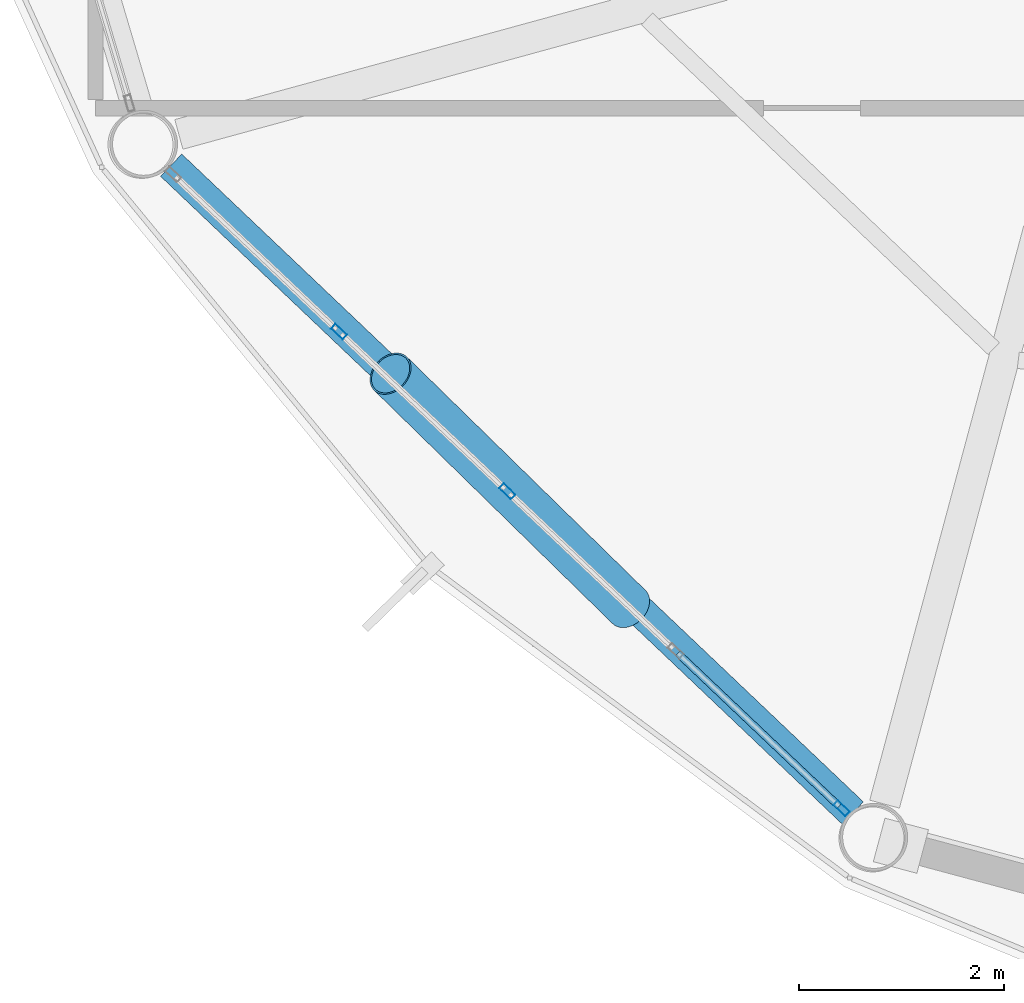
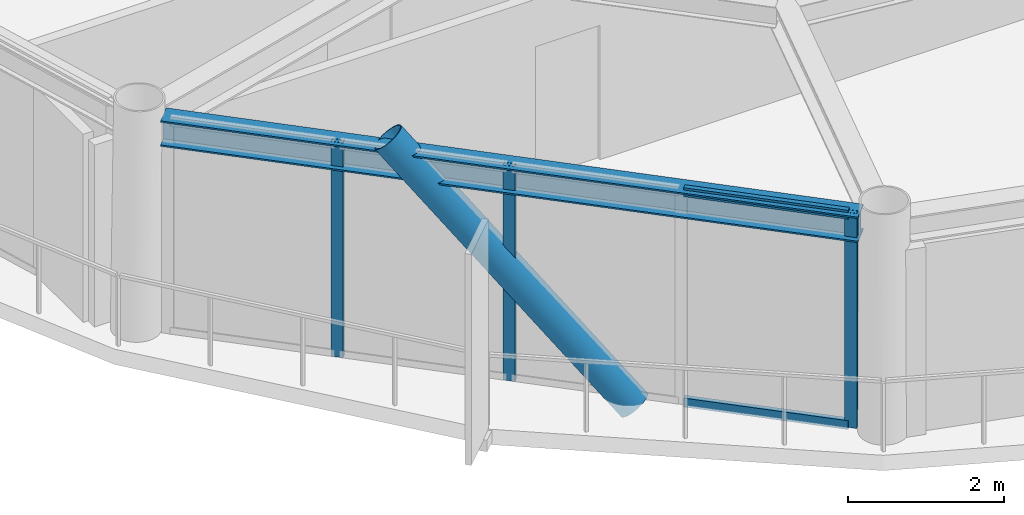
# One storey, part 2 of 28: 6 members, 1 beam, 1 element without a shape of its own.
"""IFC4 building model written with IfcOpenShell, lengths in metres."""

from ifc_helpers import new_model, si_unit, direction, frame, origin, origin_2d, place, context, subcontext, project, spatial, hollow_rectangle, hollow_circle, i_section, extrude, material, layer, layer_set, material_profile, profile_set, type_object, element, aggregate, save


model = new_model("IFC4")

# Units and contexts
model_context = context("Model", 3, precision=1e-05, world=origin(), true_north=direction((0.0, 1.0)))
body_context = subcontext(model_context, "Body", "Model", "MODEL_VIEW")
ifc_project = project(units=[si_unit("LENGTHUNIT", "METRE"), si_unit("AREAUNIT", "SQUARE_METRE"), si_unit("VOLUMEUNIT", "CUBIC_METRE"), si_unit("PLANEANGLEUNIT", "RADIAN"), si_unit("MASSUNIT", "GRAM", prefix="KILO")], contexts=[model_context])

# Site, building, storey
site_placement = place(None, origin())
site = spatial("IfcSite", under=ifc_project, at=site_placement, CompositionType="ELEMENT")
building_placement = place(site_placement, origin())
building = spatial("IfcBuilding", under=site, at=building_placement, Name="Varnakorn Sky Granary", CompositionType="ELEMENT")
storey_placement = place(building_placement, frame((0.0, 0.0, 186.0)))
storey = spatial("IfcBuildingStorey", under=building, at=storey_placement, Name="L46", CompositionType="ELEMENT", Elevation=186.0)

# Beam
ifc_material_1 = material(Name="Steel S355JR", Category="steel")
ifc_material_profile_1 = material_profile(ifc_material_1, i_section(OverallWidth=0.300048828125, OverallDepth=0.39990234375, WebThickness=0.013427734375, FlangeThickness=0.02392578125, at=origin_2d()), Name="HE 400 B")
ifc_profile_set_1 = profile_set([ifc_material_profile_1], Name="Steel S355JR")
beam_type = type_object("IfcBeamType", Name="BM-SPD-Z4", PredefinedType="SPANDREL", material=ifc_profile_set_1)
beam_placement = place(storey_placement, frame((-11.7607421875, -9.45703125, 3.159912109375), z_axis=(0.724852811502, -0.688903768067, 0.0), x_axis=(0.688903768067, 0.724852811502, 0.0)))
element("IfcBeam", 1, at=beam_placement, inside=storey, type_object=beam_type, Name="Perimeter Spandrel Ring Beam RB08 L46", PredefinedType="SPANDREL", context=body_context, shape_type="SweptSolid", body=[
    extrude(i_section(OverallWidth=0.300048828125, OverallDepth=0.39990234375, WebThickness=0.013427734375, FlangeThickness=0.02392578125, at=origin_2d()), origin(), (0.0, 0.0, 1.0), 9.188720703125),
])

# Curtain wall, members
ifc_material_2 = material(Name="Anodised Bronze Aluminium Alloy 6063-T6", Category="aluminium")
ifc_layer = layer(ifc_material_2, 0.169921875, Name="Anodised Bronze Aluminium Alloy 6063-T6")
ifc_layer_set = layer_set([ifc_layer], Name="Anodised Bronze Aluminium Alloy 6063-T6")
curtain_wall_type = type_object("IfcCurtainWallType", Name="CW-LAB-1", PredefinedType="USERDEFINED", material=ifc_layer_set)
curtain_wall_placement = place(storey_placement, origin())
curtain_wall = element("IfcCurtainWall", 2, at=curtain_wall_placement, inside=storey, type_object=curtain_wall_type, Name="Unitised Curtain Wall CW5 CW-L46-B08", ObjectType="CURTAIN WALL", PredefinedType="USERDEFINED")
ifc_material_profile_2 = material_profile(ifc_material_2, hollow_rectangle(XDim=0.06494140625, YDim=0.159912109375, WallThickness=0.00341796875, at=origin_2d()), Name="ALU MULL 65x160")
ifc_profile_set_2 = profile_set([ifc_material_profile_2], Name="Anodised Bronze Aluminium Alloy 6063-T6")
member_type_1 = type_object("IfcMemberType", Name="CW-LAB-1-MULL", PredefinedType="MULLION", material=ifc_profile_set_2)
member_1_placement = place(storey_placement, frame((-5.21240234375, -15.741943359375, 0.0), z_axis=(0.0, 0.0, 1.0), x_axis=(-0.688291544345, -0.725434180325, 0.0)))
member_1 = element("IfcMember", 3, at=member_1_placement, type_object=member_type_1, Name="CW5 mullion 1", PredefinedType="MULLION", context=body_context, shape_type="SweptSolid", body=[
    extrude(hollow_rectangle(XDim=0.06494140625, YDim=0.159912109375, WallThickness=0.00341796875, at=origin_2d()), origin(), (0.0, 0.0, 1.0), 3.360107421875),
])
member_2_placement = place(storey_placement, frame((-8.47705078125, -12.64453125, 0.0), z_axis=(0.0, 0.0, 1.0), x_axis=(-0.688291544345, -0.725434180325, 0.0)))
member_2 = element("IfcMember", 4, at=member_2_placement, type_object=member_type_1, Name="CW5 mullion 3", PredefinedType="MULLION", context=body_context, shape_type="SweptSolid", body=[
    extrude(hollow_rectangle(XDim=0.06494140625, YDim=0.159912109375, WallThickness=0.00341796875, at=origin_2d()), origin(), (0.0, 0.0, 1.0), 3.360107421875),
])
member_3_placement = place(storey_placement, frame((-10.12109375, -11.084716796875, 0.0), z_axis=(0.0, 0.0, 1.0), x_axis=(-0.688291544345, -0.725434180325, 0.0)))
member_3 = element("IfcMember", 5, at=member_3_placement, type_object=member_type_1, Name="CW5 mullion 4", PredefinedType="MULLION", context=body_context, shape_type="SweptSolid", body=[
    extrude(hollow_rectangle(XDim=0.06494140625, YDim=0.159912109375, WallThickness=0.00341796875, at=origin_2d()), origin(), (0.0, 0.0, 1.0), 3.360107421875),
])
ifc_material_profile_3 = material_profile(ifc_material_2, hollow_rectangle(XDim=0.070068359375, YDim=0.139892578125, WallThickness=0.00341796875, at=origin_2d()), Name="ALU TRAN 70x140")
ifc_profile_set_3 = profile_set([ifc_material_profile_3], Name="Anodised Bronze Aluminium Alloy 6063-T6")
member_type_2 = type_object("IfcMemberType", Name="CW-LAB-1-TRAN", PredefinedType="USERDEFINED", material=ifc_profile_set_3)
member_4_placement = place(storey_placement, frame((-5.236083984375, -15.719482421875, 0.034912109375), z_axis=(-0.725437754945, 0.688287776806, 0.0), x_axis=(-0.688287776806, -0.725437754945, 0.0)))
member_4 = element("IfcMember", 6, at=member_4_placement, type_object=member_type_2, Name="CW5 transom 1.1", ObjectType="TRANSOM", PredefinedType="USERDEFINED", context=body_context, shape_type="SweptSolid", body=[
    extrude(hollow_rectangle(XDim=0.070068359375, YDim=0.139892578125, WallThickness=0.00341796875, at=origin_2d()), origin(), (0.0, 0.0, 1.0), 2.168701171875),
])
member_5_placement = place(storey_placement, frame((-5.236083984375, -15.719482421875, 3.324951171875), z_axis=(-0.725437754945, 0.688287776806, 0.0), x_axis=(-0.688287776806, -0.725437754945, 0.0)))
member_5 = element("IfcMember", 7, at=member_5_placement, type_object=member_type_2, Name="CW5 transom 1.2", ObjectType="TRANSOM", PredefinedType="USERDEFINED", context=body_context, shape_type="SweptSolid", body=[
    extrude(hollow_rectangle(XDim=0.070068359375, YDim=0.139892578125, WallThickness=0.00341796875, at=origin_2d()), origin(), (0.0, 0.0, 1.0), 2.168701171875),
])
aggregate(curtain_wall, [member_1, member_2, member_3, member_4, member_5])

# Member
ifc_material_3 = material(Name="Steel S460M", Category="steel")
ifc_material_profile_4 = material_profile(ifc_material_3, hollow_circle(Radius=0.228515625, WallThickness=0.01611328125, at=origin_2d()), Name="CHS 457x16")
ifc_profile_set_4 = profile_set([ifc_material_profile_4], Name="Steel S460M")
member_type_3 = type_object("IfcMemberType", Name="MB-DIAG-T3", PredefinedType="BRACE", material=ifc_profile_set_4)
member_6_placement = place(storey_placement, frame((-7.28662109375, -13.77392578125, -0.1298828125), z_axis=(-0.478344155866, 0.467919220365, 0.743127493612), x_axis=(-0.699274186459, -0.714853559936, 0.0)))
element("IfcMember", 8, at=member_6_placement, inside=storey, type_object=member_type_3, Name="Perimeter CHS Diagrid Brace DG08 L46", PredefinedType="BRACE", context=body_context, shape_type="SweptSolid", body=[
    extrude(hollow_circle(Radius=0.228515625, WallThickness=0.01611328125, at=origin_2d()), origin(), (0.0, 0.0, 1.0), 4.87109375),
])

save(model, "model.ifc")
